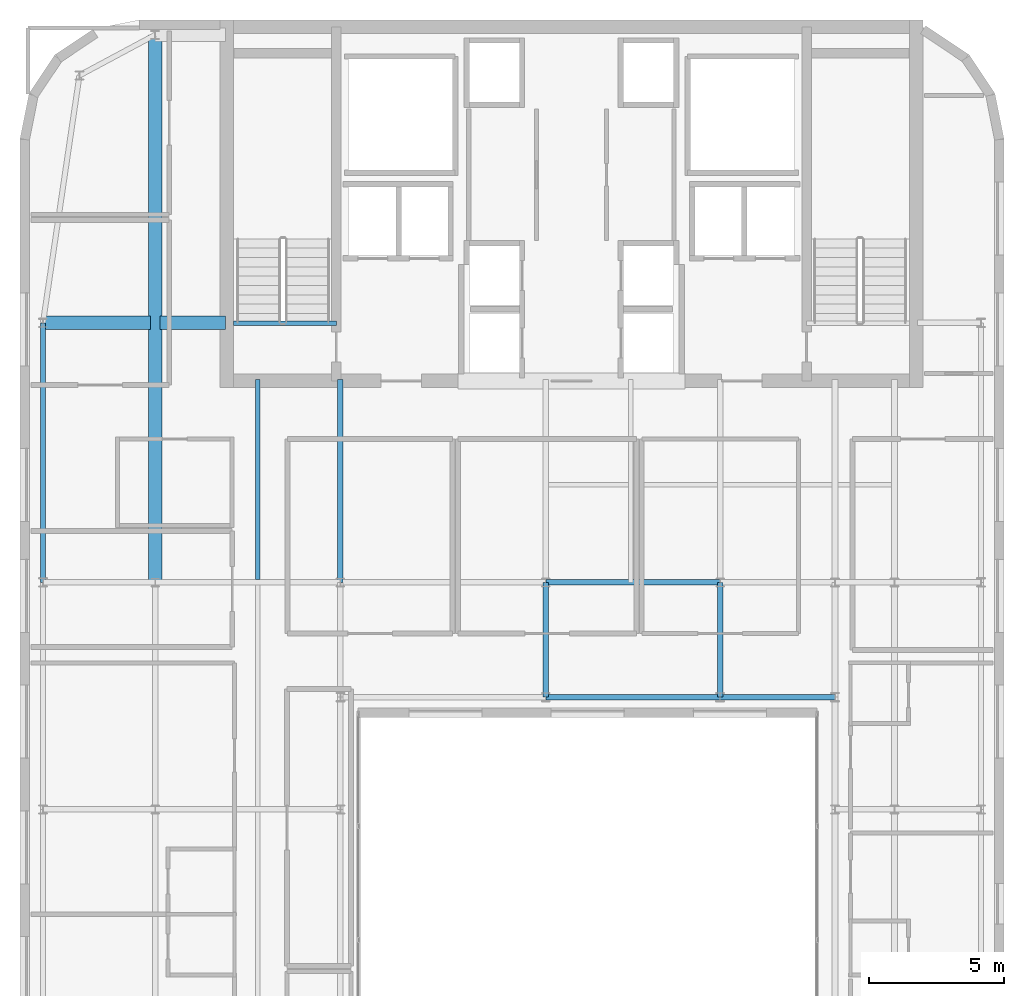
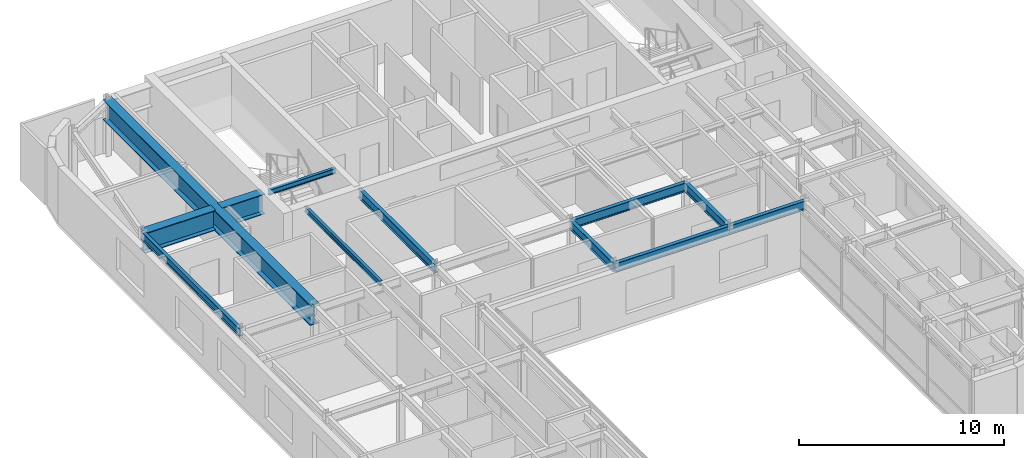
# One storey, part 10 of 18: 12 beams.
"""IFC4 building model written with IfcOpenShell, lengths in metres."""

from ifc_helpers import new_model, si_unit, direction, frame, origin, origin_2d, place, context, subcontext, project, spatial, i_section, extrude, source, transform, mapped, material, material_profile, profile_set, type_object, type_shapes, element, save


model = new_model("IFC4")

# Units and contexts
model_context = context("Model", 3, precision=1e-05, world=origin(), true_north=direction((0.0, 1.0)))
body_context = subcontext(model_context, "Body", "Model", "MODEL_VIEW")
ifc_project = project(units=[si_unit("LENGTHUNIT", "METRE"), si_unit("AREAUNIT", "SQUARE_METRE"), si_unit("VOLUMEUNIT", "CUBIC_METRE"), si_unit("PLANEANGLEUNIT", "RADIAN"), si_unit("MASSUNIT", "GRAM", prefix="KILO")], contexts=[model_context])

# Site, building, storey
site_placement = place(None, origin())
site = spatial("IfcSite", under=ifc_project, at=site_placement, CompositionType="ELEMENT")
building_placement = place(site_placement, origin())
building = spatial("IfcBuilding", under=site, at=building_placement, Name="Tolvann Quenvar Hotel", CompositionType="ELEMENT")
storey_placement = place(building_placement, frame((0.0, 0.0, 259.39990234375)))
storey = spatial("IfcBuildingStorey", under=building, at=storey_placement, Name="L69", CompositionType="ELEMENT", Elevation=259.39990234375)

# Beams
ifc_material = material(Name="Steel Grade 350", Category="steel")
ifc_material_profile_1 = material_profile(ifc_material, i_section(OverallWidth=0.5, OverallDepth=1.199951171875, WebThickness=0.01611328125, FlangeThickness=0.0400390625, at=origin_2d()), Name="1200WB455")
ifc_profile_set_1 = profile_set([ifc_material_profile_1], Name="Steel Grade 350")
beam_type_1 = type_object("IfcBeamType", Name="BM_TG_1200WB455", PredefinedType="USERDEFINED", material=ifc_profile_set_1)
shared_shape_1 = source(origin(), body_context, "Body", "SweptSolid", [
    extrude(i_section(OverallWidth=0.5, OverallDepth=1.199951171875, WebThickness=0.01611328125, FlangeThickness=0.0400390625, at=origin_2d()), origin(), (0.0, 0.0, 1.0), 2.419921875),
])
beam_1_placement = place(storey_placement, frame((7.780029296875, 34.0, 2.77001953125), z_axis=(1.0, 0.0, 0.0), x_axis=(0.0, 1.0, 0.0)))
element("IfcBeam", 1, at=beam_1_placement, inside=storey, type_object=beam_type_1, Name="BM-L69-CTW-MID2", ObjectType="TRANSFER GIRDER", PredefinedType="USERDEFINED", context=body_context, shape_type="MappedRepresentation", body=[
    mapped(shared_shape_1, transform((0.0, 0.0, 0.0), x_axis=(1.0, 0.0, 0.0), y_axis=(0.0, 1.0, 0.0), z_axis=(0.0, 0.0, 1.0), scale=1.0)),
])
ifc_material_profile_2 = material_profile(ifc_material, i_section(OverallWidth=0.166015625, OverallDepth=0.306884765625, WebThickness=0.006591796875, FlangeThickness=0.01171875, FilletRadius=0.011474609375, at=origin_2d()), Name="310UB46")
ifc_profile_set_2 = profile_set([ifc_material_profile_2], Name="Steel Grade 350")
beam_type_2 = type_object("IfcBeamType", Name="BM_JOIST_310UB46", PredefinedType="JOIST", material=ifc_profile_set_2)
shared_shape_2 = source(origin(), body_context, "Body", "SweptSolid", [
    extrude(i_section(OverallWidth=0.166015625, OverallDepth=0.306884765625, WebThickness=0.006591796875, FlangeThickness=0.01171875, FilletRadius=0.011474609375, at=origin_2d()), origin(), (0.0, 0.0, 1.0), 3.800048828125),
])
beam_2_placement = place(storey_placement, frame((10.5, 33.97998046875, 3.216552734375), z_axis=(1.0, 0.0, 0.0), x_axis=(0.0, 1.0, 0.0)))
element("IfcBeam", 2, at=beam_2_placement, inside=storey, type_object=beam_type_2, Name="BM-HDR-STC1-L70", PredefinedType="JOIST", context=body_context, shape_type="MappedRepresentation", body=[
    mapped(shared_shape_2, transform((0.0, 0.0, 0.0), x_axis=(1.0, 0.0, 0.0), y_axis=(0.0, 1.0, 0.0), z_axis=(0.0, 0.0, 1.0), scale=1.0)),
])
shared_shape_3 = source(origin(), body_context, "Body", "SweptSolid", [
    extrude(i_section(OverallWidth=0.5, OverallDepth=1.199951171875, WebThickness=0.01611328125, FlangeThickness=0.0400390625, at=origin_2d()), origin(), (0.0, 0.0, 1.0), 3.969970703125),
])
beam_3_placement = place(storey_placement, frame((3.449951171875, 34.0, 2.77001953125), z_axis=(1.0, 0.0, 0.0), x_axis=(0.0, 1.0, 0.0)))
element("IfcBeam", 3, at=beam_3_placement, inside=storey, type_object=beam_type_1, Name="BM-L69-CTW-MID1", ObjectType="TRANSFER GIRDER", PredefinedType="USERDEFINED", context=body_context, shape_type="MappedRepresentation", body=[
    mapped(shared_shape_3, transform((0.0, 0.0, 0.0), x_axis=(1.0, 0.0, 0.0), y_axis=(0.0, 1.0, 0.0), z_axis=(0.0, 0.0, 1.0), scale=1.0)),
])
ifc_material_profile_3 = material_profile(ifc_material, i_section(OverallWidth=0.19091796875, OverallDepth=0.4599609375, WebThickness=0.010009765625, FlangeThickness=0.01611328125, FilletRadius=0.011474609375, at=origin_2d()), Name="460UB82")
ifc_profile_set_3 = profile_set([ifc_material_profile_3], Name="Steel Grade 350")
beam_type_3 = type_object("IfcBeamType", Name="BM_SPAND_460UB82", PredefinedType="SPANDREL", material=ifc_profile_set_3)
shared_shape_4 = source(origin(), body_context, "Body", "SweptSolid", [
    extrude(i_section(OverallWidth=0.19091796875, OverallDepth=0.4599609375, WebThickness=0.010009765625, FlangeThickness=0.01611328125, FilletRadius=0.011474609375, at=origin_2d()), origin(), (0.0, 0.0, 1.0), 9.60009765625),
])
type_shapes(beam_type_3, [shared_shape_4])
beam_4_placement = place(storey_placement, frame((3.449951171875, 24.39990234375, 3.14013671875), z_axis=(0.0, 1.0, 0.0), x_axis=(-1.0, 0.0, 0.0)))
element("IfcBeam", 4, at=beam_4_placement, inside=storey, type_object=beam_type_3, Name="BM-L69-FLK-W1", PredefinedType="SPANDREL", context=body_context, shape_type="MappedRepresentation", body=[
    mapped(shared_shape_4, transform((0.0, 0.0, 0.0), x_axis=(1.0, 0.0, 0.0), y_axis=(0.0, 1.0, 0.0), z_axis=(0.0, 0.0, 1.0), scale=1.0)),
])
shared_shape_5 = source(origin(), body_context, "Body", "SweptSolid", [
    extrude(i_section(OverallWidth=0.5, OverallDepth=1.199951171875, WebThickness=0.01611328125, FlangeThickness=0.0400390625, at=origin_2d()), origin(), (0.0, 0.0, 1.0), 20.25),
])
type_shapes(beam_type_1, [shared_shape_1, shared_shape_3, shared_shape_5])
beam_5_placement = place(storey_placement, frame((7.60009765625, 24.39990234375, 2.77001953125), z_axis=(0.0, 1.0, 0.0), x_axis=(-1.0, 0.0, 0.0)))
element("IfcBeam", 5, at=beam_5_placement, inside=storey, type_object=beam_type_1, Name="BM-L69-FLK-WC", ObjectType="TRANSFER GIRDER", PredefinedType="USERDEFINED", context=body_context, shape_type="MappedRepresentation", body=[
    mapped(shared_shape_5, transform((0.0, 0.0, 0.0), x_axis=(1.0, 0.0, 0.0), y_axis=(0.0, 1.0, 0.0), z_axis=(0.0, 0.0, 1.0), scale=1.0)),
])
ifc_material_profile_4 = material_profile(ifc_material, i_section(OverallWidth=0.208984375, OverallDepth=0.532958984375, WebThickness=0.01025390625, FlangeThickness=0.015625, FilletRadius=0.013916015625, at=origin_2d()), Name="530UB92")
ifc_profile_set_4 = profile_set([ifc_material_profile_4], Name="Steel Grade 350")
beam_type_4 = type_object("IfcBeamType", Name="BM_GIRD_530UB92", PredefinedType="BEAM", material=ifc_profile_set_4)
shared_shape_6 = source(origin(), body_context, "Body", "SweptSolid", [
    extrude(i_section(OverallWidth=0.208984375, OverallDepth=0.532958984375, WebThickness=0.01025390625, FlangeThickness=0.015625, FilletRadius=0.013916015625, at=origin_2d()), origin(), (0.0, 0.0, 1.0), 6.449951171875),
])
for number, where, z_axis, x_axis, name in (
    (6, (22.050048828125, 20.14990234375, 3.103515625), (1.0, 0.0, 0.0), (0.0, 1.0, 0.0), "BM-L69-EW-4P-E4P-M4P"),
    (7, (22.050048828125, 24.39990234375, 3.103515625), (1.0, 0.0, 0.0), (0.0, 1.0, 0.0), "BM-L69-EW-5-E5-M5"),
):
    element("IfcBeam", number, at=place(storey_placement, frame(where, z_axis=z_axis, x_axis=x_axis)), inside=storey, type_object=beam_type_4, Name=name, PredefinedType="BEAM", context=body_context, shape_type="MappedRepresentation", body=[
        mapped(shared_shape_6, transform((0.0, 0.0, 0.0), x_axis=(1.0, 0.0, 0.0), y_axis=(0.0, 1.0, 0.0), z_axis=(0.0, 0.0, 1.0), scale=1.0)),
    ])
shared_shape_7 = source(origin(), body_context, "Body", "SweptSolid", [
    extrude(i_section(OverallWidth=0.208984375, OverallDepth=0.532958984375, WebThickness=0.01025390625, FlangeThickness=0.015625, FilletRadius=0.013916015625, at=origin_2d()), origin(), (0.0, 0.0, 1.0), 4.25),
])
for number, where, z_axis, x_axis, name in (
    (8, (28.5, 20.14990234375, 3.103515625), (1.0, 0.0, 0.0), (0.0, 1.0, 0.0), "BM-L69-EW-4P-M4P-FP4P"),
    (9, (22.050048828125, 20.14990234375, 3.103515625), (0.0, 1.0, 0.0), (-1.0, 0.0, 0.0), "BM-L69-NS-E4P-E5"),
    (10, (28.5, 20.14990234375, 3.103515625), (0.0, 1.0, 0.0), (-1.0, 0.0, 0.0), "BM-L69-NS-M4P-M5"),
):
    element("IfcBeam", number, at=place(storey_placement, frame(where, z_axis=z_axis, x_axis=x_axis)), inside=storey, type_object=beam_type_4, Name=name, PredefinedType="BEAM", context=body_context, shape_type="MappedRepresentation", body=[
        mapped(shared_shape_7, transform((0.0, 0.0, 0.0), x_axis=(1.0, 0.0, 0.0), y_axis=(0.0, 1.0, 0.0), z_axis=(0.0, 0.0, 1.0), scale=1.0)),
    ])
shared_shape_8 = source(origin(), body_context, "Body", "SweptSolid", [
    extrude(i_section(OverallWidth=0.208984375, OverallDepth=0.532958984375, WebThickness=0.01025390625, FlangeThickness=0.015625, FilletRadius=0.013916015625, at=origin_2d()), origin(), (0.0, 0.0, 1.0), 7.5),
])
type_shapes(beam_type_4, [shared_shape_6, shared_shape_7, shared_shape_8])
beam_6_placement = place(storey_placement, frame((14.449951171875, 24.39990234375, 3.103515625), z_axis=(0.0, 1.0, 0.0), x_axis=(-1.0, 0.0, 0.0)))
element("IfcBeam", 11, at=beam_6_placement, inside=storey, type_object=beam_type_4, Name="BM-L69-CORE-D5", PredefinedType="BEAM", context=body_context, shape_type="MappedRepresentation", body=[
    mapped(shared_shape_8, transform((0.0, 0.0, 0.0), x_axis=(1.0, 0.0, 0.0), y_axis=(0.0, 1.0, 0.0), z_axis=(0.0, 0.0, 1.0), scale=1.0)),
])
shared_shape_9 = source(origin(), body_context, "Body", "SweptSolid", [
    extrude(i_section(OverallWidth=0.166015625, OverallDepth=0.306884765625, WebThickness=0.006591796875, FlangeThickness=0.01171875, FilletRadius=0.011474609375, at=origin_2d()), origin(), (0.0, 0.0, 1.0), 7.4013671875),
])
type_shapes(beam_type_2, [shared_shape_2, shared_shape_9])
beam_7_placement = place(storey_placement, frame((11.39990234375, 24.49853515625, 3.216552734375), z_axis=(0.0, 1.0, 0.0), x_axis=(-1.0, 0.0, 0.0)))
element("IfcBeam", 12, at=beam_7_placement, inside=storey, type_object=beam_type_2, Name="BJ-L69-114-244", PredefinedType="JOIST", context=body_context, shape_type="MappedRepresentation", body=[
    mapped(shared_shape_9, transform((0.0, 0.0, 0.0), x_axis=(1.0, 0.0, 0.0), y_axis=(0.0, 1.0, 0.0), z_axis=(0.0, 0.0, 1.0), scale=1.0)),
])

save(model, "model.ifc")
